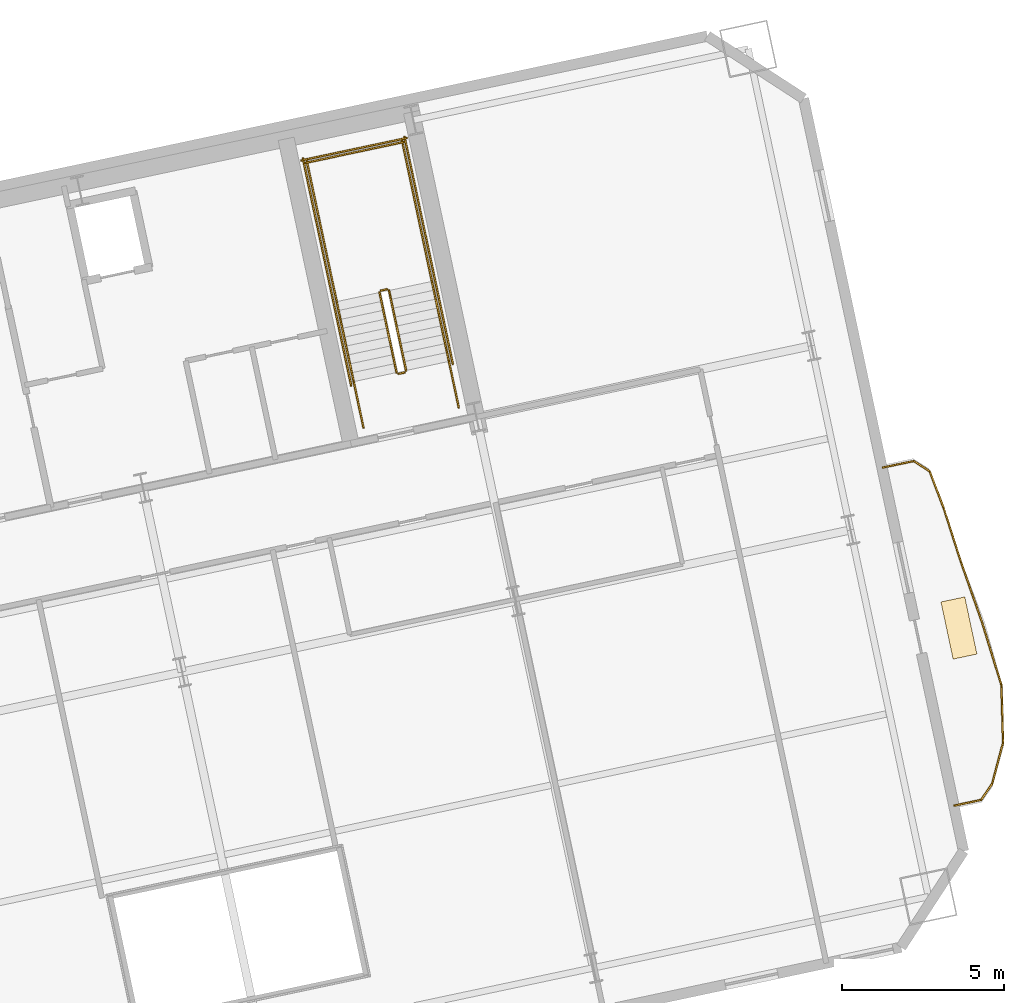
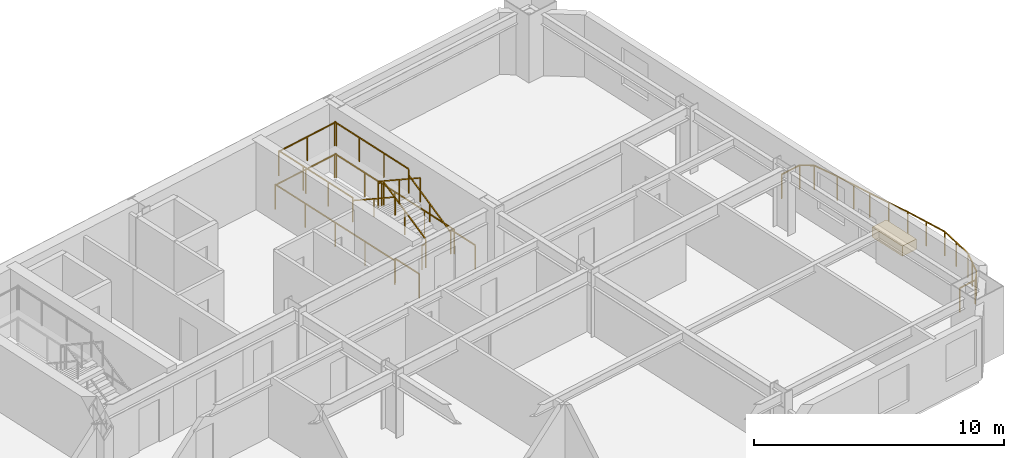
# One storey, part 14 of 14: 24 railings, 1 covering.
"""IFC4 building model written with IfcOpenShell, lengths in metres."""

import ifcopenshell
import ifcopenshell.guid

model = None  # the IFC model being written
_history = None  # IfcOwnerHistory: only IFC2X3 demands one
_inside = {}  # id of a spatial element -> (the spatial element, [elements in it])
_under = {}  # id of a project, library or spatial element -> (it, [spatial elements below it])
_declared = {}  # id of a project -> (the project, [libraries it declares])
_typed = {}  # id of a type object -> (the type object, [elements of that type])
_made_of = {}  # id of a material, layer set ... -> (it, [elements and type objects made of it])


def new_model(schema):
    """Start an empty IFC model of exactly this schema.

    Asked for "IFC4X3", IfcOpenShell would pick the latest addendum, in which some entities
    have other attributes; the version numbers below select the first issue.
    IFC2X3 requires an IfcOwnerHistory on every rooted entity: one is made here for all.
    """
    global model, _history
    if schema == "IFC4X3":
        model = ifcopenshell.file(schema_version=(4, 3, 0, 0))
    else:
        model = ifcopenshell.file(schema=schema)
    _inside.clear()
    _under.clear()
    _declared.clear()
    _typed.clear()
    _made_of.clear()
    _history = None
    if model.schema == "IFC2X3":
        org = make("IfcOrganization", Name="unknown")
        user = make(
            "IfcPersonAndOrganization",
            ThePerson=make("IfcPerson", FamilyName="unknown"),
            TheOrganization=org,
        )
        app = make(
            "IfcApplication",
            ApplicationDeveloper=org,
            Version="unknown",
            ApplicationFullName="unknown",
            ApplicationIdentifier="unknown",
        )
        _history = make(
            "IfcOwnerHistory",
            OwningUser=user,
            OwningApplication=app,
            ChangeAction="ADDED",
            CreationDate=0,
        )
    return model


def make(cls, **values):
    """One entity of the class cls with the attributes given. An attribute that is None is left unset."""
    return model.create_entity(
        cls, **{name: value for name, value in values.items() if value is not None}
    )


def rooted(cls, **values):
    """An entity with a GlobalId (a new one), such as an element, a storey or a relation."""
    return make(cls, GlobalId=ifcopenshell.guid.new(), OwnerHistory=_history, **values)


def si_unit(unit_type, name, prefix=None):
    """IfcSIUnit, for example si_unit("LENGTHUNIT", "METRE", prefix="MILLI")."""
    return make("IfcSIUnit", UnitType=unit_type, Prefix=prefix, Name=name)


def assignment(units):
    """IfcUnitAssignment: the units of a project."""
    return None if units is None else make("IfcUnitAssignment", Units=units)


def point(xyz):
    """IfcCartesianPoint."""
    return None if xyz is None else make("IfcCartesianPoint", Coordinates=xyz)


def direction(xyz):
    """IfcDirection."""
    return None if xyz is None else make("IfcDirection", DirectionRatios=xyz)


def frame(location, z_axis=None, x_axis=None):
    """IfcAxis2Placement3D, a coordinate frame: its origin and axes. An axis left out is left unset."""
    return make(
        "IfcAxis2Placement3D",
        Location=point(location),
        Axis=direction(z_axis),
        RefDirection=direction(x_axis),
    )


def frame_2d(location, x_axis=None):
    """IfcAxis2Placement2D, a coordinate frame in the plane: its origin and x axis."""
    return make(
        "IfcAxis2Placement2D", Location=point(location), RefDirection=direction(x_axis)
    )


def origin():
    """The frame at (0, 0, 0) with its axes left unset."""
    return frame((0.0, 0.0, 0.0))


def origin_2d():
    """The frame at (0, 0) in the plane with its x axis left unset."""
    return frame_2d((0.0, 0.0))


def place(relative_to, where):
    """IfcLocalPlacement: puts the frame where relative to a parent placement (None: the world)."""
    return make(
        "IfcLocalPlacement", PlacementRelTo=relative_to, RelativePlacement=where
    )


def context(
    kind, dimensions, precision=None, world=None, true_north=None, identifier=None
):
    """IfcGeometricRepresentationContext, for example the 3D "Model" context."""
    return make(
        "IfcGeometricRepresentationContext",
        ContextIdentifier=identifier,
        ContextType=kind,
        CoordinateSpaceDimension=dimensions,
        Precision=precision,
        WorldCoordinateSystem=world,
        TrueNorth=true_north,
    )


def subcontext(parent, identifier, kind, view, scale=None):
    """IfcGeometricRepresentationSubContext, for example "Body" below "Model"."""
    return make(
        "IfcGeometricRepresentationSubContext",
        ContextIdentifier=identifier,
        ContextType=kind,
        ParentContext=parent,
        TargetScale=scale,
        TargetView=view,
    )


def project(units=None, contexts=None):
    """IfcProject with its units and contexts."""
    return rooted(
        "IfcProject",
        Name="project",
        RepresentationContexts=contexts,
        UnitsInContext=assignment(units),
    )


def spatial(cls, under=None, at=None, **own):
    """A site, building, storey or space (cls), placed at a placement, below another one or the project."""
    s = rooted(cls, ObjectPlacement=at, **own)
    if under is not None:
        _under.setdefault(under.id(), (under, []))[1].append(s)
    return s


def profile(cls, at=None, kind="AREA", **sizes):
    """A parametric profile (cls). Its sizes go by their IFC names, for example OverallWidth=200.0."""
    return make(cls, ProfileType=kind, Position=at, **sizes)


def rectangle(**sizes):
    """IfcRectangleProfileDef."""
    return profile("IfcRectangleProfileDef", **sizes)


def extrude(swept, where, along, depth):
    """IfcExtrudedAreaSolid: the profile swept, set in the frame where, extruded along a direction by depth."""
    return make(
        "IfcExtrudedAreaSolid",
        SweptArea=swept,
        Position=where,
        ExtrudedDirection=direction(along),
        Depth=depth,
    )


def shape(context_of_items, identifier, shape_type, items):
    """IfcShapeRepresentation: the items that make up one representation, for example the "Body"."""
    return make(
        "IfcShapeRepresentation",
        ContextOfItems=context_of_items,
        RepresentationIdentifier=identifier,
        RepresentationType=shape_type,
        Items=items,
    )


def material(Name=None, Category=None):
    """IfcMaterial."""
    return make("IfcMaterial", Name=Name, Category=Category)


def layer(
    of_material, thickness, ventilated=None, Name=None, Category=None, Priority=None
):
    """IfcMaterialLayer: one layer of a wall or slab, of a material (None: an air gap)."""
    return make(
        "IfcMaterialLayer",
        Material=of_material,
        LayerThickness=thickness,
        IsVentilated=ventilated,
        Name=Name,
        Category=Category,
        Priority=Priority,
    )


def layer_set(layers, Name=None):
    """IfcMaterialLayerSet."""
    return make("IfcMaterialLayerSet", MaterialLayers=layers, LayerSetName=Name)


def made_of(thing, what):
    """Note that an element or type object is made of a material, layer set ...; save() writes the relation."""
    if what is not None:
        _made_of.setdefault(what.id(), (what, []))[1].append(thing)
    return thing


def type_object(cls, material=None, **own):
    """A type object (cls), such as IfcWallType, which elements share."""
    return made_of(rooted(cls, **own), material)


def element(
    cls,
    number,
    at=None,
    inside=None,
    cuts=None,
    type_object=None,
    material=None,
    context=None,
    identifier="Body",
    shape_type=None,
    held_by="IfcProductDefinitionShape",
    body=None,
    shapes=None,
    **own,
):
    """One element of the class cls, such as IfcWall. Its Tag is "e" and its number.

    at: its placement. inside: the storey or other place that contains it. cuts: it is an
    opening in that element (IfcRelVoidsElement). A single representation is given by context,
    identifier, shape_type and body (its items); several are given by shapes. held_by: the class
    of the entity that holds the representations. save() writes the other relations.
    """
    e = rooted(cls, Tag="e%d" % number, ObjectPlacement=at, **own)
    if body is not None:
        shapes = [shape(context, identifier, shape_type, body)]
    if shapes is not None:
        e.Representation = make(held_by, Representations=shapes)
    if inside is not None:
        _inside.setdefault(inside.id(), (inside, []))[1].append(e)
    if cuts is not None:
        rooted(
            "IfcRelVoidsElement", RelatingBuildingElement=cuts, RelatedOpeningElement=e
        )
    if type_object is not None:
        _typed.setdefault(type_object.id(), (type_object, []))[1].append(e)
    return made_of(e, material)


def aggregate(whole, parts):
    """IfcRelAggregates: a whole, such as a stair, and the parts it consists of."""
    return rooted("IfcRelAggregates", RelatingObject=whole, RelatedObjects=parts)


def save(model, path):
    """Write the relations noted so far, then the file.

    IfcRelAggregates (storeys below a building ...), IfcRelContainedInSpatialStructure (elements
    in a storey), IfcRelDefinesByType, IfcRelAssociatesMaterial and IfcRelDeclares: one each for
    every whole, place, type object, material and project.
    """
    for whole, parts in _under.values():
        aggregate(whole, parts)
    for where, things in _inside.values():
        rooted(
            "IfcRelContainedInSpatialStructure",
            RelatedElements=things,
            RelatingStructure=where,
        )
    for kind, things in _typed.values():
        rooted("IfcRelDefinesByType", RelatedObjects=things, RelatingType=kind)
    for what, things in _made_of.values():
        rooted("IfcRelAssociatesMaterial", RelatedObjects=things, RelatingMaterial=what)
    for by, libraries in _declared.values():
        rooted("IfcRelDeclares", RelatingContext=by, RelatedDefinitions=libraries)
    model.write(path)


model = new_model("IFC4")

# Units and contexts
model_context = context("Model", 3, precision=1e-05, world=origin(), true_north=direction((0.0, 1.0)))
body_context = subcontext(model_context, "Body", "Model", "MODEL_VIEW")
ifc_project = project(units=[si_unit("LENGTHUNIT", "METRE"), si_unit("AREAUNIT", "SQUARE_METRE"), si_unit("VOLUMEUNIT", "CUBIC_METRE"), si_unit("PLANEANGLEUNIT", "RADIAN"), si_unit("MASSUNIT", "GRAM", prefix="KILO")], contexts=[model_context])

# Site, building, storey
site_placement = place(None, origin())
site = spatial("IfcSite", under=ifc_project, at=site_placement, CompositionType="ELEMENT")
building_placement = place(site_placement, origin())
building = spatial("IfcBuilding", under=site, at=building_placement, Name="Haevon Station Towers", CompositionType="ELEMENT")
storey_placement = place(building_placement, frame((0.0, 0.0, 86.699951171875)))
storey = spatial("IfcBuildingStorey", under=building, at=storey_placement, Name="L22", CompositionType="ELEMENT", Elevation=86.699951171875)

# Railings
ifc_material_1 = material(Name="Steel S355", Category="steel")
railing_type_1 = type_object("IfcRailingType", Name="GRD-EXT1200", PredefinedType="GUARDRAIL", material=ifc_material_1)
railing_1_placement = place(storey_placement, frame((134.02783203125, 29.838134765625, 0.0)))
element("IfcRailing", 1, at=railing_1_placement, inside=storey, type_object=railing_type_1, Name="L22 Perimeter Guardrail 1", PredefinedType="GUARDRAIL", context=body_context, shape_type="SweptSolid", body=[
    extrude(rectangle(XDim=0.048095703125, YDim=0.048095703125, at=origin_2d()), frame((0.0, 0.0, 1.17578125), z_axis=(0.97761867619, 0.210384704682, 0.0), x_axis=(-0.210384704682, 0.97761867619, 0.0)), (0.0, 0.0, 1.0), 0.837890625),
    extrude(rectangle(XDim=0.0419921875, YDim=0.0419921875, at=origin_2d()), origin(), (0.0, 0.0, 1.0), 1.15185546875),
    extrude(rectangle(XDim=0.0419921875, YDim=0.0419921875, at=origin_2d()), frame((0.819091796875, 0.17626953125, 0.0)), (0.0, 0.0, 1.0), 1.15185546875),
])
railing_2_placement = place(storey_placement, frame((134.846923828125, 30.014404296875, 0.0)))
element("IfcRailing", 2, at=railing_2_placement, inside=storey, type_object=railing_type_1, Name="L22 Perimeter Guardrail 2", PredefinedType="GUARDRAIL", context=body_context, shape_type="SweptSolid", body=[
    extrude(rectangle(XDim=0.048095703125, YDim=0.048095703125, at=origin_2d()), frame((0.0, 0.0, 1.17578125), z_axis=(0.562635738377, 0.826704920695, 0.0), x_axis=(-0.826704920695, 0.562635738377, 0.0)), (0.0, 0.0, 1.0), 0.594482421875),
    extrude(rectangle(XDim=0.0419921875, YDim=0.0419921875, at=origin_2d()), origin(), (0.0, 0.0, 1.0), 1.15185546875),
    extrude(rectangle(XDim=0.0419921875, YDim=0.0419921875, at=origin_2d()), frame((0.33447265625, 0.491455078125, 0.0)), (0.0, 0.0, 1.0), 1.15185546875),
])
railing_3_placement = place(storey_placement, frame((135.181396484375, 30.505859375, 0.0)))
element("IfcRailing", 3, at=railing_3_placement, inside=storey, type_object=railing_type_1, Name="L22 Perimeter Guardrail 3", PredefinedType="GUARDRAIL", context=body_context, shape_type="SweptSolid", body=[
    extrude(rectangle(XDim=0.048095703125, YDim=0.048095703125, at=origin_2d()), frame((0.0, 0.0, 1.17578125), z_axis=(0.257396211441, 0.966305950688, 0.0), x_axis=(-0.966305950688, 0.257396211441, 0.0)), (0.0, 0.0, 1.0), 1.311767578125),
    extrude(rectangle(XDim=0.0419921875, YDim=0.0419921875, at=origin_2d()), origin(), (0.0, 0.0, 1.0), 1.15185546875),
    extrude(rectangle(XDim=0.0419921875, YDim=0.0419921875, at=origin_2d()), frame((0.1689453125, 0.6337890625, 0.0)), (0.0, 0.0, 1.0), 1.15185546875),
    extrude(rectangle(XDim=0.0419921875, YDim=0.0419921875, at=origin_2d()), frame((0.337646484375, 1.267578125, 0.0)), (0.0, 0.0, 1.0), 1.15185546875),
])
railing_4_placement = place(storey_placement, frame((135.51904296875, 31.7734375, 0.0)))
element("IfcRailing", 4, at=railing_4_placement, inside=storey, type_object=railing_type_1, Name="L22 Perimeter Guardrail 4", PredefinedType="GUARDRAIL", context=body_context, shape_type="SweptSolid", body=[
    extrude(rectangle(XDim=0.048095703125, YDim=0.048095703125, at=origin_2d()), frame((0.0, 0.0, 1.17578125), z_axis=(-0.029031117034, 0.999578508294, 0.0), x_axis=(-0.999578508294, -0.029031117034, 0.0)), (0.0, 0.0, 1.0), 1.7744140625),
    extrude(rectangle(XDim=0.0419921875, YDim=0.0419921875, at=origin_2d()), origin(), (0.0, 0.0, 1.0), 1.15185546875),
    extrude(rectangle(XDim=0.0419921875, YDim=0.0419921875, at=origin_2d()), frame((-0.02587890625, 0.88671875, 0.0)), (0.0, 0.0, 1.0), 1.15185546875),
    extrude(rectangle(XDim=0.0419921875, YDim=0.0419921875, at=origin_2d()), frame((-0.051513671875, 1.773681640625, 0.0)), (0.0, 0.0, 1.0), 1.15185546875),
])
railing_5_placement = place(storey_placement, frame((135.467529296875, 33.547119140625, 0.0)))
element("IfcRailing", 5, at=railing_5_placement, inside=storey, type_object=railing_type_1, Name="L22 Perimeter Guardrail 5", PredefinedType="GUARDRAIL", context=body_context, shape_type="SweptSolid", body=[
    extrude(rectangle(XDim=0.048095703125, YDim=0.048095703125, at=origin_2d()), frame((0.0, 0.0, 1.17578125), z_axis=(-0.294077277739, 0.955781645941, 0.0), x_axis=(-0.955781645941, -0.294077277739, 0.0)), (0.0, 0.0, 1.0), 2.001708984375),
    extrude(rectangle(XDim=0.0419921875, YDim=0.0419921875, at=origin_2d()), origin(), (0.0, 0.0, 1.0), 1.15185546875),
    extrude(rectangle(XDim=0.0419921875, YDim=0.0419921875, at=origin_2d()), frame((-0.29443359375, 0.95654296875, 0.0)), (0.0, 0.0, 1.0), 1.15185546875),
    extrude(rectangle(XDim=0.0419921875, YDim=0.0419921875, at=origin_2d()), frame((-0.588623046875, 1.9130859375, 0.0)), (0.0, 0.0, 1.0), 1.15185546875),
])
railing_6_placement = place(storey_placement, frame((134.87890625, 35.460205078125, 0.0)))
element("IfcRailing", 6, at=railing_6_placement, inside=storey, type_object=railing_type_1, Name="L22 Perimeter Guardrail 6", PredefinedType="GUARDRAIL", context=body_context, shape_type="SweptSolid", body=[
    extrude(rectangle(XDim=0.048095703125, YDim=0.048095703125, at=origin_2d()), frame((0.0, 0.0, 1.17578125), z_axis=(-0.330838529776, 0.943687377904, 0.0), x_axis=(-0.943687377904, -0.330838529776, 0.0)), (0.0, 0.0, 1.0), 2.0048828125),
    extrude(rectangle(XDim=0.0419921875, YDim=0.0419921875, at=origin_2d()), origin(), (0.0, 0.0, 1.0), 1.15185546875),
    extrude(rectangle(XDim=0.0419921875, YDim=0.0419921875, at=origin_2d()), frame((-0.33154296875, 0.946044921875, 0.0)), (0.0, 0.0, 1.0), 1.15185546875),
    extrude(rectangle(XDim=0.0419921875, YDim=0.0419921875, at=origin_2d()), frame((-0.663330078125, 1.89208984375, 0.0)), (0.0, 0.0, 1.0), 1.15185546875),
])
railing_7_placement = place(storey_placement, frame((134.215576171875, 37.352294921875, 0.0)))
element("IfcRailing", 7, at=railing_7_placement, inside=storey, type_object=railing_type_1, Name="L22 Perimeter Guardrail 7", PredefinedType="GUARDRAIL", context=body_context, shape_type="SweptSolid", body=[
    extrude(rectangle(XDim=0.048095703125, YDim=0.048095703125, at=origin_2d()), frame((0.0, 0.0, 1.17578125), z_axis=(-0.305087966058, 0.952324174305, 0.0), x_axis=(-0.952324174305, -0.305087966058, 0.0)), (0.0, 0.0, 1.0), 1.7587890625),
    extrude(rectangle(XDim=0.0419921875, YDim=0.0419921875, at=origin_2d()), origin(), (0.0, 0.0, 1.0), 1.15185546875),
    extrude(rectangle(XDim=0.0419921875, YDim=0.0419921875, at=origin_2d()), frame((-0.268310546875, 0.83740234375, 0.0)), (0.0, 0.0, 1.0), 1.15185546875),
    extrude(rectangle(XDim=0.0419921875, YDim=0.0419921875, at=origin_2d()), frame((-0.53662109375, 1.675048828125, 0.0)), (0.0, 0.0, 1.0), 1.15185546875),
])
railing_8_placement = place(storey_placement, frame((133.678955078125, 39.02734375, 0.0)))
element("IfcRailing", 8, at=railing_8_placement, inside=storey, type_object=railing_type_1, Name="L22 Perimeter Guardrail 8", PredefinedType="GUARDRAIL", context=body_context, shape_type="SweptSolid", body=[
    extrude(rectangle(XDim=0.048095703125, YDim=0.048095703125, at=origin_2d()), frame((0.0, 0.0, 1.17578125), z_axis=(-0.353833597458, 0.935308390484, 0.0), x_axis=(-0.935308390484, -0.353833597458, 0.0)), (0.0, 0.0, 1.0), 1.18408203125),
    extrude(rectangle(XDim=0.0419921875, YDim=0.0419921875, at=origin_2d()), origin(), (0.0, 0.0, 1.0), 1.15185546875),
    extrude(rectangle(XDim=0.0419921875, YDim=0.0419921875, at=origin_2d()), frame((-0.4189453125, 1.107421875, 0.0)), (0.0, 0.0, 1.0), 1.15185546875),
])
railing_9_placement = place(storey_placement, frame((133.260009765625, 40.134765625, 0.0)))
element("IfcRailing", 9, at=railing_9_placement, inside=storey, type_object=railing_type_1, Name="L22 Perimeter Guardrail 9", PredefinedType="GUARDRAIL", context=body_context, shape_type="SweptSolid", body=[
    extrude(rectangle(XDim=0.048095703125, YDim=0.048095703125, at=origin_2d()), frame((0.0, 0.0, 1.17578125), z_axis=(-0.841504137465, 0.54025067018, 0.0), x_axis=(-0.54025067018, -0.841504137465, 0.0)), (0.0, 0.0, 1.0), 0.584228515625),
    extrude(rectangle(XDim=0.0419921875, YDim=0.0419921875, at=origin_2d()), origin(), (0.0, 0.0, 1.0), 1.15185546875),
    extrude(rectangle(XDim=0.0419921875, YDim=0.0419921875, at=origin_2d()), frame((-0.49169921875, 0.315673828125, 0.0)), (0.0, 0.0, 1.0), 1.15185546875),
])
railing_10_placement = place(storey_placement, frame((132.768310546875, 40.450439453125, 0.0)))
element("IfcRailing", 10, at=railing_10_placement, inside=storey, type_object=railing_type_1, Name="L22 Perimeter Guardrail 10", PredefinedType="GUARDRAIL", context=body_context, shape_type="SweptSolid", body=[
    extrude(rectangle(XDim=0.048095703125, YDim=0.048095703125, at=origin_2d()), frame((0.0, 0.0, 1.17578125), z_axis=(-0.978616190776, -0.20569480098, 0.0), x_axis=(0.20569480098, -0.978616190776, 0.0)), (0.0, 0.0, 1.0), 0.974365234375),
    extrude(rectangle(XDim=0.0419921875, YDim=0.0419921875, at=origin_2d()), origin(), (0.0, 0.0, 1.0), 1.15185546875),
    extrude(rectangle(XDim=0.0419921875, YDim=0.0419921875, at=origin_2d()), frame((-0.95361328125, -0.200439453125, 0.0)), (0.0, 0.0, 1.0), 1.15185546875),
])
railing_type_2 = type_object("IfcRailingType", Name="GRD-STR1200", PredefinedType="GUARDRAIL", material=ifc_material_1)
railing_11_placement = place(storey_placement, frame((117.128662109375, 43.23974609375, 0.1650390625)))
element("IfcRailing", 11, at=railing_11_placement, inside=storey, type_object=railing_type_2, Name="L22 ST4 Stair Guard 1", PredefinedType="GUARDRAIL", context=body_context, shape_type="SweptSolid", body=[
    extrude(rectangle(XDim=0.048095703125, YDim=0.048095703125, at=origin_2d()), frame((0.0, 0.0, 1.17578125), z_axis=(-0.179121265225, 0.842687928106, 0.507732831485), x_axis=(-0.978147030254, -0.207914374695, 0.0)), (0.0, 0.0, 1.0), 2.925048828125),
    extrude(rectangle(XDim=0.0419921875, YDim=0.0419921875, at=origin_2d()), origin(), (0.0, 0.0, 1.0), 1.15185546875),
    extrude(rectangle(XDim=0.0419921875, YDim=0.0419921875, at=origin_2d()), frame((-0.261962890625, 1.232421875, 0.74267578125)), (0.0, 0.0, 1.0), 1.15185546875),
    extrude(rectangle(XDim=0.0419921875, YDim=0.0419921875, at=origin_2d()), frame((-0.52392578125, 2.46484375, 1.485107421875)), (0.0, 0.0, 1.0), 1.15185546875),
])
railing_12_placement = place(storey_placement, frame((116.54541015625, 45.7431640625, 1.650146484375)))
element("IfcRailing", 12, at=railing_12_placement, inside=storey, type_object=railing_type_2, Name="L22 ST4 Stair Guard 2", PredefinedType="GUARDRAIL", context=body_context, shape_type="SweptSolid", body=[
    extrude(rectangle(XDim=0.048095703125, YDim=0.048095703125, at=origin_2d()), frame((0.0, 0.0, 1.17578125), z_axis=(-0.97826412705, -0.207362720198, 0.0), x_axis=(0.207362720198, -0.97826412705, 0.0)), (0.0, 0.0, 1.0), 0.2001953125),
    extrude(rectangle(XDim=0.0419921875, YDim=0.0419921875, at=origin_2d()), origin(), (0.0, 0.0, 1.0), 1.15185546875),
    extrude(rectangle(XDim=0.0419921875, YDim=0.0419921875, at=origin_2d()), frame((-0.19580078125, -0.04150390625, 0.0)), (0.0, 0.0, 1.0), 1.15185546875),
])
railing_13_placement = place(storey_placement, frame((117.925048828125, 45.9853515625, 1.650146484375)))
element("IfcRailing", 13, at=railing_13_placement, inside=storey, type_object=railing_type_2, Name="L22 ST4 Stair Guard 3", PredefinedType="GUARDRAIL", context=body_context, shape_type="SweptSolid", body=[
    extrude(rectangle(XDim=0.048095703125, YDim=0.048095703125, at=origin_2d()), frame((0.0, 0.0, 1.17578125), z_axis=(-0.207876551949, 0.978155069071, 0.0), x_axis=(-0.978155069071, -0.207876551949, 0.0)), (0.0, 0.0, 1.0), 4.429931640625),
    extrude(rectangle(XDim=0.0419921875, YDim=0.0419921875, at=origin_2d()), origin(), (0.0, 0.0, 1.0), 1.15185546875),
    extrude(rectangle(XDim=0.0419921875, YDim=0.0419921875, at=origin_2d()), frame((-0.306884765625, 1.4443359375, 0.0)), (0.0, 0.0, 1.0), 1.15185546875),
    extrude(rectangle(XDim=0.0419921875, YDim=0.0419921875, at=origin_2d()), frame((-0.614013671875, 2.888916015625, 0.0)), (0.0, 0.0, 1.0), 1.15185546875),
    extrude(rectangle(XDim=0.0419921875, YDim=0.0419921875, at=origin_2d()), frame((-0.9208984375, 4.333251953125, 0.0)), (0.0, 0.0, 1.0), 1.15185546875),
])
railing_14_placement = place(storey_placement, frame((114.99072265625, 45.361572265625, 1.650146484375)))
element("IfcRailing", 14, at=railing_14_placement, inside=storey, type_object=railing_type_2, Name="L22 ST4 Stair Guard 4", PredefinedType="GUARDRAIL", context=body_context, shape_type="SweptSolid", body=[
    extrude(rectangle(XDim=0.048095703125, YDim=0.048095703125, at=origin_2d()), frame((0.0, 0.0, 1.17578125), z_axis=(-0.207929280007, 0.978143861871, 0.0), x_axis=(-0.978143861871, -0.207929280007, 0.0)), (0.0, 0.0, 1.0), 4.43017578125),
    extrude(rectangle(XDim=0.0419921875, YDim=0.0419921875, at=origin_2d()), origin(), (0.0, 0.0, 1.0), 1.15185546875),
    extrude(rectangle(XDim=0.0419921875, YDim=0.0419921875, at=origin_2d()), frame((-0.30712890625, 1.4443359375, 0.0)), (0.0, 0.0, 1.0), 1.15185546875),
    extrude(rectangle(XDim=0.0419921875, YDim=0.0419921875, at=origin_2d()), frame((-0.614013671875, 2.888916015625, 0.0)), (0.0, 0.0, 1.0), 1.15185546875),
    extrude(rectangle(XDim=0.0419921875, YDim=0.0419921875, at=origin_2d()), frame((-0.921142578125, 4.333251953125, 0.0)), (0.0, 0.0, 1.0), 1.15185546875),
])
railing_15_placement = place(storey_placement, frame((117.0634765625, 50.280029296875, 1.650146484375)))
element("IfcRailing", 15, at=railing_15_placement, inside=storey, type_object=railing_type_2, Name="L22 ST4 Stair Guard 5", PredefinedType="GUARDRAIL", context=body_context, shape_type="SweptSolid", body=[
    extrude(rectangle(XDim=0.048095703125, YDim=0.048095703125, at=origin_2d()), frame((0.0, 0.0, 1.17578125), z_axis=(-0.978146839882, -0.207915270313, 0.0), x_axis=(0.207915270313, -0.978146839882, 0.0)), (0.0, 0.0, 1.0), 3.099853515625),
    extrude(rectangle(XDim=0.0419921875, YDim=0.0419921875, at=origin_2d()), origin(), (0.0, 0.0, 1.0), 1.15185546875),
    extrude(rectangle(XDim=0.0419921875, YDim=0.0419921875, at=origin_2d()), frame((-1.51611328125, -0.322265625, 0.0)), (0.0, 0.0, 1.0), 1.15185546875),
    extrude(rectangle(XDim=0.0419921875, YDim=0.0419921875, at=origin_2d()), frame((-3.0322265625, -0.64453125, 0.0)), (0.0, 0.0, 1.0), 1.15185546875),
])
railing_16_placement = place(storey_placement, frame((116.311279296875, 45.642333984375, 1.81494140625)))
element("IfcRailing", 16, at=railing_16_placement, inside=storey, type_object=railing_type_2, Name="L22 ST4 Stair Guard 6", PredefinedType="GUARDRAIL", context=body_context, shape_type="SweptSolid", body=[
    extrude(rectangle(XDim=0.048095703125, YDim=0.048095703125, at=origin_2d()), frame((0.0, 0.0, 1.17578125), z_axis=(0.179108667068, -0.842712120868, 0.50769712105), x_axis=(0.978151217824, 0.207894673017, 0.0)), (0.0, 0.0, 1.0), 2.92529296875),
    extrude(rectangle(XDim=0.0419921875, YDim=0.0419921875, at=origin_2d()), origin(), (0.0, 0.0, 1.0), 1.15185546875),
    extrude(rectangle(XDim=0.0419921875, YDim=0.0419921875, at=origin_2d()), frame((0.261962890625, -1.232421875, 0.74267578125)), (0.0, 0.0, 1.0), 1.15185546875),
    extrude(rectangle(XDim=0.0419921875, YDim=0.0419921875, at=origin_2d()), frame((0.52392578125, -2.465087890625, 1.485107421875)), (0.0, 0.0, 1.0), 1.15185546875),
])
railing_17_placement = place(storey_placement, frame((117.090087890625, 43.180419921875, 0.0)))
element("IfcRailing", 17, at=railing_17_placement, inside=storey, type_object=railing_type_2, Name="L22 ST4 Stair Guard 7", PredefinedType="GUARDRAIL", context=body_context, shape_type="SweptSolid", body=[
    extrude(rectangle(XDim=0.048095703125, YDim=0.048095703125, at=origin_2d()), frame((0.0, 0.0, 1.17578125), z_axis=(-0.978211583308, -0.207610448392, 0.0), x_axis=(0.207610448392, -0.978211583308, 0.0)), (0.0, 0.0, 1.0), 0.199951171875),
    extrude(rectangle(XDim=0.0419921875, YDim=0.0419921875, at=origin_2d()), origin(), (0.0, 0.0, 1.0), 1.15185546875),
    extrude(rectangle(XDim=0.0419921875, YDim=0.0419921875, at=origin_2d()), frame((-0.195556640625, -0.04150390625, 0.0)), (0.0, 0.0, 1.0), 1.15185546875),
])
for number, where, name in (
    (18, (118.75048828125, 42.10205078125, 0.0), "L22 ST4 Stair Guard 8"),
    (19, (115.816162109375, 41.478271484375, 0.0), "L22 ST4 Stair Guard 9"),
):
    element("IfcRailing", number, at=place(storey_placement, frame(where)), inside=storey, type_object=railing_type_2, Name=name, PredefinedType="GUARDRAIL", context=body_context, shape_type="SweptSolid", body=[
        extrude(rectangle(XDim=0.048095703125, YDim=0.048095703125, at=origin_2d()), frame((0.0, 0.0, 1.17578125), z_axis=(-0.207919161079, 0.978146012851, 0.0), x_axis=(-0.978146012851, -0.207919161079, 0.0)), (0.0, 0.0, 1.0), 1.4501953125),
        extrude(rectangle(XDim=0.0419921875, YDim=0.0419921875, at=origin_2d()), origin(), (0.0, 0.0, 1.0), 1.15185546875),
        extrude(rectangle(XDim=0.0419921875, YDim=0.0419921875, at=origin_2d()), frame((-0.301513671875, 1.41845703125, 0.0)), (0.0, 0.0, 1.0), 1.15185546875),
    ])
railing_18_placement = place(storey_placement, frame((118.567626953125, 43.443359375, 0.0)))
element("IfcRailing", 20, at=railing_18_placement, inside=storey, type_object=railing_type_2, Name="L22 ST4 Stair Guard 10", PredefinedType="GUARDRAIL", context=body_context, shape_type="SweptSolid", body=[
    extrude(rectangle(XDim=0.048095703125, YDim=0.048095703125, at=origin_2d()), frame((0.0, 0.0, 1.17578125), z_axis=(-0.207908168386, 0.978148349443, 0.0), x_axis=(-0.978148349443, -0.207908168386, 0.0)), (0.0, 0.0, 1.0), 7.150146484375),
    extrude(rectangle(XDim=0.0419921875, YDim=0.0419921875, at=origin_2d()), origin(), (0.0, 0.0, 1.0), 1.15185546875),
    extrude(rectangle(XDim=0.0419921875, YDim=0.0419921875, at=origin_2d()), frame((-0.37158203125, 1.74853515625, 0.0)), (0.0, 0.0, 1.0), 1.15185546875),
    extrude(rectangle(XDim=0.0419921875, YDim=0.0419921875, at=origin_2d()), frame((-0.7431640625, 3.4970703125, 0.0)), (0.0, 0.0, 1.0), 1.15185546875),
    extrude(rectangle(XDim=0.0419921875, YDim=0.0419921875, at=origin_2d()), frame((-1.114990234375, 5.245361328125, 0.0)), (0.0, 0.0, 1.0), 1.15185546875),
    extrude(rectangle(XDim=0.0419921875, YDim=0.0419921875, at=origin_2d()), frame((-1.486572265625, 6.993896484375, 0.0)), (0.0, 0.0, 1.0), 1.15185546875),
])
railing_19_placement = place(storey_placement, frame((115.4375, 42.778076171875, 0.0)))
element("IfcRailing", 21, at=railing_19_placement, inside=storey, type_object=railing_type_2, Name="L22 ST4 Stair Guard 11", PredefinedType="GUARDRAIL", context=body_context, shape_type="SweptSolid", body=[
    extrude(rectangle(XDim=0.048095703125, YDim=0.048095703125, at=origin_2d()), frame((0.0, 0.0, 1.17578125), z_axis=(-0.207882442208, 0.978153817261, 0.0), x_axis=(-0.978153817261, -0.207882442208, 0.0)), (0.0, 0.0, 1.0), 7.14990234375),
    extrude(rectangle(XDim=0.0419921875, YDim=0.0419921875, at=origin_2d()), origin(), (0.0, 0.0, 1.0), 1.15185546875),
    extrude(rectangle(XDim=0.0419921875, YDim=0.0419921875, at=origin_2d()), frame((-0.37158203125, 1.74853515625, 0.0)), (0.0, 0.0, 1.0), 1.15185546875),
    extrude(rectangle(XDim=0.0419921875, YDim=0.0419921875, at=origin_2d()), frame((-0.7431640625, 3.496826171875, 0.0)), (0.0, 0.0, 1.0), 1.15185546875),
    extrude(rectangle(XDim=0.0419921875, YDim=0.0419921875, at=origin_2d()), frame((-1.11474609375, 5.2451171875, 0.0)), (0.0, 0.0, 1.0), 1.15185546875),
    extrude(rectangle(XDim=0.0419921875, YDim=0.0419921875, at=origin_2d()), frame((-1.486328125, 6.99365234375, 0.0)), (0.0, 0.0, 1.0), 1.15185546875),
])
railing_20_placement = place(storey_placement, frame((117.140380859375, 50.398681640625, 0.0)))
element("IfcRailing", 22, at=railing_20_placement, inside=storey, type_object=railing_type_2, Name="L22 ST4 Stair Guard 12", PredefinedType="GUARDRAIL", context=body_context, shape_type="SweptSolid", body=[
    extrude(rectangle(XDim=0.048095703125, YDim=0.048095703125, at=origin_2d()), frame((0.0, 0.0, 1.17578125), z_axis=(-0.978135717418, -0.207967589567, 0.0), x_axis=(0.207967589567, -0.978135717418, 0.0)), (0.0, 0.0, 1.0), 3.300048828125),
    extrude(rectangle(XDim=0.0419921875, YDim=0.0419921875, at=origin_2d()), origin(), (0.0, 0.0, 1.0), 1.15185546875),
    extrude(rectangle(XDim=0.0419921875, YDim=0.0419921875, at=origin_2d()), frame((-1.61376953125, -0.34326171875, 0.0)), (0.0, 0.0, 1.0), 1.15185546875),
    extrude(rectangle(XDim=0.0419921875, YDim=0.0419921875, at=origin_2d()), frame((-3.227783203125, -0.686279296875, 0.0)), (0.0, 0.0, 1.0), 1.15185546875),
])
railing_type_3 = type_object("IfcRailingType", Name="HND-STR900", PredefinedType="HANDRAIL", material=ifc_material_1)
railing_21_placement = place(storey_placement, frame((118.448974609375, 43.5205078125, 0.1650390625)))
element("IfcRailing", 23, at=railing_21_placement, inside=storey, type_object=railing_type_3, Name="L22 ST4 Stair Handrail 1", PredefinedType="HANDRAIL", context=body_context, shape_type="SweptSolid", body=[
    extrude(rectangle(XDim=0.048095703125, YDim=0.048095703125, at=origin_2d()), frame((0.0, 0.0, 0.8759765625), z_axis=(-0.179121265225, 0.842687928106, 0.507732831485), x_axis=(-0.978147030254, -0.207914374695, 0.0)), (0.0, 0.0, 1.0), 2.925048828125),
    extrude(rectangle(XDim=0.0419921875, YDim=0.0419921875, at=origin_2d()), origin(), (0.0, 0.0, 1.0), 0.851806640625),
    extrude(rectangle(XDim=0.0419921875, YDim=0.0419921875, at=origin_2d()), frame((-0.261962890625, 1.232421875, 0.74267578125)), (0.0, 0.0, 1.0), 0.851806640625),
    extrude(rectangle(XDim=0.0419921875, YDim=0.0419921875, at=origin_2d()), frame((-0.52392578125, 2.46484375, 1.485107421875)), (0.0, 0.0, 1.0), 0.851806640625),
])
railing_22_placement = place(storey_placement, frame((114.99072265625, 45.361572265625, 1.81494140625)))
element("IfcRailing", 24, at=railing_22_placement, inside=storey, type_object=railing_type_3, Name="L22 ST4 Stair Handrail 2", PredefinedType="HANDRAIL", context=body_context, shape_type="SweptSolid", body=[
    extrude(rectangle(XDim=0.048095703125, YDim=0.048095703125, at=origin_2d()), frame((0.0, 0.0, 0.8759765625), z_axis=(0.179121265225, -0.842687928106, 0.507732831485), x_axis=(0.978147030254, 0.207914374695, 0.0)), (0.0, 0.0, 1.0), 2.925048828125),
    extrude(rectangle(XDim=0.0419921875, YDim=0.0419921875, at=origin_2d()), origin(), (0.0, 0.0, 1.0), 0.851806640625),
    extrude(rectangle(XDim=0.0419921875, YDim=0.0419921875, at=origin_2d()), frame((0.261962890625, -1.232421875, 0.74267578125)), (0.0, 0.0, 1.0), 0.851806640625),
    extrude(rectangle(XDim=0.0419921875, YDim=0.0419921875, at=origin_2d()), frame((0.52392578125, -2.46484375, 1.485107421875)), (0.0, 0.0, 1.0), 0.851806640625),
])

# Covering
ifc_material_2 = material(Name="Architectural planter GRC", Category="concrete")
ifc_layer = layer(ifc_material_2, 0.550048828125)
ifc_layer_set = layer_set([ifc_layer], Name="Architectural planter GRC")
covering_type = type_object("IfcCoveringType", Name="PLN-GRC550", PredefinedType="MOLDING", material=ifc_layer_set)
covering_placement = place(storey_placement, frame((134.16015625, 35.307373046875, 0.0), z_axis=(0.0, 0.0, 1.0), x_axis=(0.978147600734, 0.207911690818, 0.0)))
element("IfcCovering", 25, at=covering_placement, inside=storey, type_object=covering_type, Name="Tower 2 L22 Scalloped Balcony PLANTER", PredefinedType="MOLDING", context=body_context, shape_type="SweptSolid", body=[
    extrude(rectangle(XDim=0.75, YDim=1.800048828125, at=origin_2d()), origin(), (0.0, 0.0, 1.0), 0.5),
])

save(model, "model.ifc")
